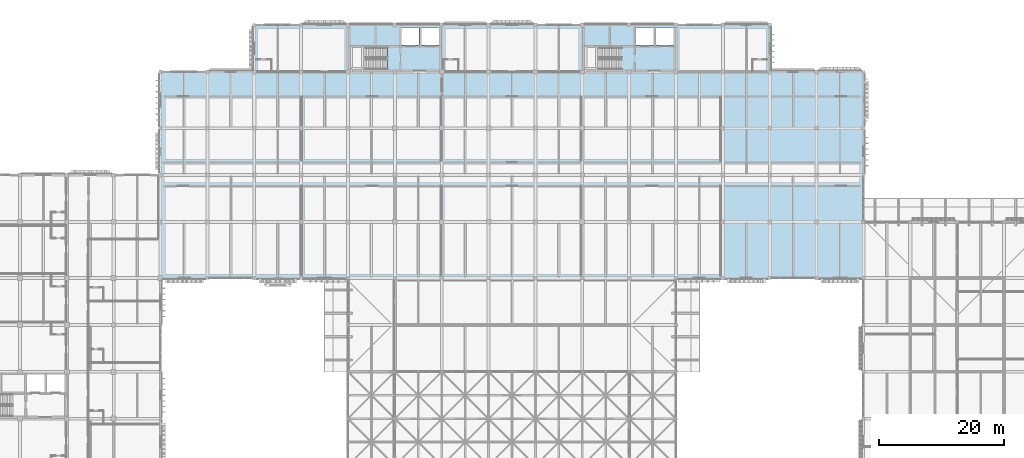
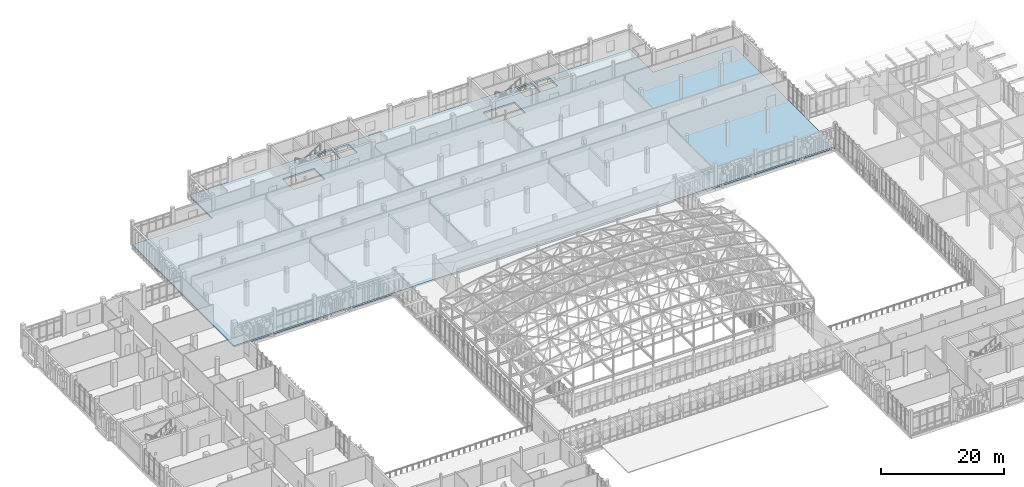
# One storey, part 89 of 131: 1 slab.
"""IFC4 building model written with IfcOpenShell, lengths in metres."""

from ifc_helpers import new_model, si_unit, direction, frame, origin, place, context, subcontext, project, spatial, polyline, outline, extrude, material, layer, layer_set, type_object, element, save


model = new_model("IFC4")

# Units and contexts
model_context = context("Model", 3, precision=1e-05, world=origin(), true_north=direction((0.0, 1.0)))
body_context = subcontext(model_context, "Body", "Model", "MODEL_VIEW")
ifc_project = project(units=[si_unit("LENGTHUNIT", "METRE"), si_unit("AREAUNIT", "SQUARE_METRE"), si_unit("VOLUMEUNIT", "CUBIC_METRE"), si_unit("PLANEANGLEUNIT", "RADIAN"), si_unit("MASSUNIT", "GRAM", prefix="KILO")], contexts=[model_context])

# Site, building, storey
site_placement = place(None, origin())
site = spatial("IfcSite", under=ifc_project, at=site_placement, CompositionType="ELEMENT")
building_placement = place(site_placement, origin())
building = spatial("IfcBuilding", under=site, at=building_placement, Name="Dalvernix Boulevard General Hospital", CompositionType="ELEMENT")
storey_placement = place(building_placement, frame((0.0, 0.0, 9.300048828125)))
storey = spatial("IfcBuildingStorey", under=building, at=storey_placement, Name="L02", CompositionType="ELEMENT", Elevation=9.300048828125)

# Slab
ifc_material = material(Name="Concrete C35/45", Category="concrete")
ifc_layer = layer(ifc_material, 0.320068359375)
ifc_layer_set = layer_set([ifc_layer], Name="Concrete C35/45 (SLB-FS-02)")
slab_type = type_object("IfcSlabType", Name="SLB-FS-02", PredefinedType="FLOOR", material=ifc_layer_set)
slab_placement = place(storey_placement, frame((0.0, 0.0, -0.320068359375)))
element("IfcSlab", 1, at=slab_placement, inside=storey, type_object=slab_type, Name="L02 V3 structural floor slab 1", PredefinedType="FLOOR", context=body_context, shape_type="SweptSolid", body=[
    extrude(outline(polyline([(30.0, 93.0), (30.0, 100.5), (30.0, 109.5), (37.5, 109.5), (45.0, 109.5), (45.0, 117.0), (52.5, 117.0), (60.0, 117.0), (67.5, 117.0), (75.0, 117.0), (82.5, 117.0), (90.0, 117.0), (97.5, 117.0), (105.0, 117.0), (112.5, 117.0), (120.0, 117.0), (127.5, 117.0), (127.5, 109.5), (135.0, 109.5), (142.5, 109.5), (142.5, 100.5), (142.5, 93.0), (142.5, 85.5), (142.5, 76.5), (135.0, 76.5), (127.5, 76.5), (120.0, 76.5), (112.5, 76.5), (105.0, 76.5), (97.5, 76.5), (90.0, 76.5), (82.5, 76.5), (75.0, 76.5), (67.5, 76.5), (60.0, 76.5), (52.5, 76.5), (45.0, 76.5), (37.5, 76.5), (30.0, 76.5), (30.0, 85.5), (30.0, 93.0)]), holes=[polyline([(60.39990234375, 113.39990234375), (60.39990234375, 109.89990234375), (66.2900390625, 109.89990234375), (66.2900390625, 113.39990234375), (60.39990234375, 113.39990234375)]), polyline([(71.39990234375, 116.60009765625), (68.60009765625, 116.60009765625), (68.60009765625, 113.800048828125), (71.39990234375, 113.800048828125), (71.39990234375, 116.60009765625)]), polyline([(74.60009765625, 113.800048828125), (74.60009765625, 116.60009765625), (71.800048828125, 116.60009765625), (71.800048828125, 113.800048828125), (74.60009765625, 113.800048828125)]), polyline([(97.89990234375, 109.89990234375), (103.7900390625, 109.89990234375), (103.7900390625, 113.39990234375), (97.89990234375, 113.39990234375), (97.89990234375, 109.89990234375)]), polyline([(106.10009765625, 116.60009765625), (106.10009765625, 113.800048828125), (108.89990234375, 113.800048828125), (108.89990234375, 116.60009765625), (106.10009765625, 116.60009765625)]), polyline([(112.10009765625, 116.60009765625), (109.300048828125, 116.60009765625), (109.300048828125, 113.800048828125), (112.10009765625, 113.800048828125), (112.10009765625, 116.60009765625)])]), origin(), (0.0, 0.0, 1.0), 0.320068359375),
])

save(model, "model.ifc")
